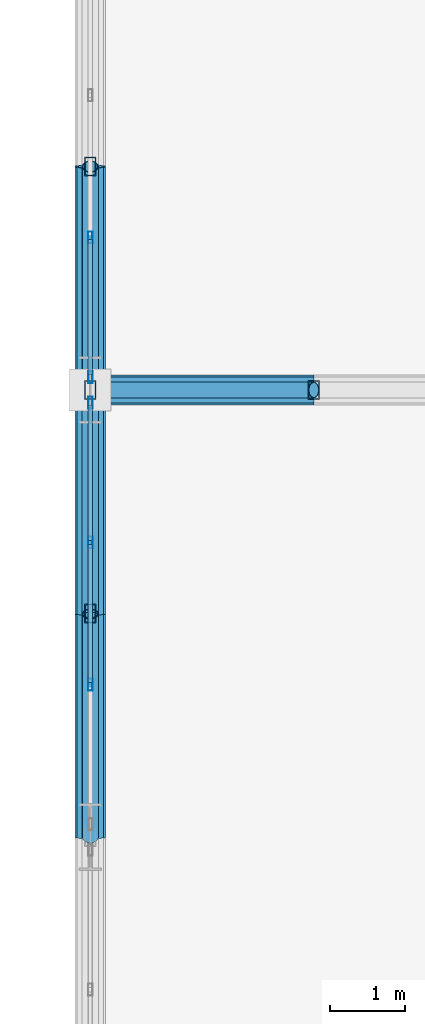
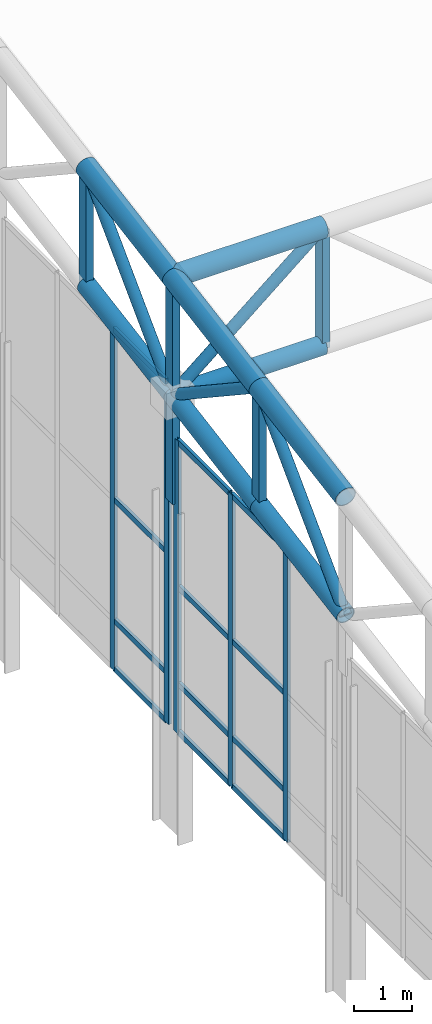
# One storey, part 36 of 239: 33 members, 2 elements without a shape of their own.
"""IFC4 building model written with IfcOpenShell, lengths in metres."""

from ifc_helpers import new_model, si_unit, direction, frame, origin, origin_2d, place, context, subcontext, project, spatial, hollow_rectangle, hollow_circle, extrude, material, material_profile, profile_set, type_object, element, aggregate, save


model = new_model("IFC4")

# Units and contexts
model_context = context("Model", 3, precision=1e-05, world=origin(), true_north=direction((0.0, 1.0)))
body_context = subcontext(model_context, "Body", "Model", "MODEL_VIEW")
ifc_project = project(units=[si_unit("LENGTHUNIT", "METRE"), si_unit("AREAUNIT", "SQUARE_METRE"), si_unit("VOLUMEUNIT", "CUBIC_METRE"), si_unit("PLANEANGLEUNIT", "RADIAN"), si_unit("MASSUNIT", "GRAM", prefix="KILO")], contexts=[model_context])

# Site, building, storey
site_placement = place(None, origin())
site = spatial("IfcSite", under=ifc_project, at=site_placement, CompositionType="ELEMENT")
building_placement = place(site_placement, origin())
building = spatial("IfcBuilding", under=site, at=building_placement, Name="Kaldris Quays Convention Centre", CompositionType="ELEMENT")
storey_placement = place(building_placement, frame((0.0, 0.0, 11.39990234375)))
storey = spatial("IfcBuildingStorey", under=building, at=storey_placement, Name="L02", CompositionType="ELEMENT", Elevation=11.39990234375)

# Curtain wall, members
ifc_material_1 = material(Name="Anodized aluminium AW-6060 and triple glazing", Category="aluminium")
curtain_wall_type = type_object("IfcCurtainWallType", Name="UNITISED CURTAIN WALL CW03", PredefinedType="NOTDEFINED", material=ifc_material_1)
curtain_wall_1_placement = place(storey_placement, origin())
curtain_wall_1 = element("IfcCurtainWall", 1, at=curtain_wall_1_placement, inside=storey, type_object=curtain_wall_type, Name="L02 Unitised Curtain Wall CW03 214", PredefinedType="NOTDEFINED")
ifc_material_2 = material(Name="Anodized aluminium AW-6060", Category="aluminium")
ifc_material_profile_1 = material_profile(ifc_material_2, hollow_rectangle(XDim=0.06005859375, YDim=0.159912109375, WallThickness=0.00390625, at=origin_2d()), Name="RHS 160x60x4")
ifc_profile_set_1 = profile_set([ifc_material_profile_1], Name="Anodized aluminium AW-6060")
member_type_1 = type_object("IfcMemberType", Name="CURTAIN MULLION CWM1", PredefinedType="MULLION", material=ifc_profile_set_1)
member_1_placement = place(storey_placement, frame((20.0, 64.046630859375, 2.195068359375), z_axis=(0.0, 0.0, 1.0), x_axis=(-1.0, 0.0, 0.0)))
member_1 = element("IfcMember", 2, at=member_1_placement, type_object=member_type_1, Name="CW03 mullion 2", PredefinedType="MULLION", context=body_context, shape_type="SweptSolid", body=[
    extrude(hollow_rectangle(XDim=0.06005859375, YDim=0.159912109375, WallThickness=0.00390625, at=origin_2d()), origin(), (0.0, 0.0, 1.0), 6.197998046875),
])
member_2_placement = place(storey_placement, frame((20.0, 65.953369140625, 2.195068359375), z_axis=(0.0, 0.0, 1.0), x_axis=(-1.0, 0.0, 0.0)))
member_2 = element("IfcMember", 3, at=member_2_placement, type_object=member_type_1, Name="CW03 mullion 3", PredefinedType="MULLION", context=body_context, shape_type="SweptSolid", body=[
    extrude(hollow_rectangle(XDim=0.06005859375, YDim=0.159912109375, WallThickness=0.00390625, at=origin_2d()), origin(), (0.0, 0.0, 1.0), 6.197998046875),
])
member_3_placement = place(storey_placement, frame((20.0, 67.830078125, 2.195068359375), z_axis=(0.0, 0.0, 1.0), x_axis=(-1.0, 0.0, 0.0)))
member_3 = element("IfcMember", 4, at=member_3_placement, type_object=member_type_1, Name="CW03 mullion 4", PredefinedType="MULLION", context=body_context, shape_type="SweptSolid", body=[
    extrude(hollow_rectangle(XDim=0.06005859375, YDim=0.159912109375, WallThickness=0.00390625, at=origin_2d()), origin(), (0.0, 0.0, 1.0), 6.197998046875),
])

curtain_wall_2_placement = place(storey_placement, origin())
curtain_wall_2 = element("IfcCurtainWall", 5, at=curtain_wall_2_placement, inside=storey, type_object=curtain_wall_type, Name="L02 Unitised Curtain Wall CW03 215", PredefinedType="NOTDEFINED")
member_4_placement = place(storey_placement, frame((20.0, 68.169921875, 2.195068359375), z_axis=(0.0, 0.0, 1.0), x_axis=(-1.0, 0.0, 0.0)))
member_4 = element("IfcMember", 6, at=member_4_placement, type_object=member_type_1, Name="CW03 mullion 1", PredefinedType="MULLION", context=body_context, shape_type="SweptSolid", body=[
    extrude(hollow_rectangle(XDim=0.06005859375, YDim=0.159912109375, WallThickness=0.00390625, at=origin_2d()), origin(), (0.0, 0.0, 1.0), 7.22607421875),
])
member_5_placement = place(storey_placement, frame((20.0, 70.046630859375, 2.195068359375), z_axis=(0.0, 0.0, 1.0), x_axis=(-1.0, 0.0, 0.0)))
member_5 = element("IfcMember", 7, at=member_5_placement, type_object=member_type_1, Name="CW03 mullion 2", PredefinedType="MULLION", context=body_context, shape_type="SweptSolid", body=[
    extrude(hollow_rectangle(XDim=0.06005859375, YDim=0.159912109375, WallThickness=0.00390625, at=origin_2d()), origin(), (0.0, 0.0, 1.0), 7.22607421875),
])

# Member
ifc_material_profile_2 = material_profile(ifc_material_2, hollow_rectangle(XDim=0.06005859375, YDim=0.1201171875, WallThickness=0.00390625, at=origin_2d()), Name="RHS 120x60x4")
ifc_profile_set_2 = profile_set([ifc_material_profile_2], Name="Anodized aluminium AW-6060")
member_type_2 = type_object("IfcMemberType", Name="CURTAIN TRANSOM CWT1", PredefinedType="USERDEFINED", material=ifc_profile_set_2)
member_6_placement = place(storey_placement, frame((20.0, 64.07666015625, 2.22509765625), z_axis=(0.0, 1.0, 0.0), x_axis=(-1.0, 0.0, 0.0)))
member_6 = element("IfcMember", 8, at=member_6_placement, type_object=member_type_2, Name="CW03 transom 2.1", ObjectType="TRANSOM", PredefinedType="USERDEFINED", context=body_context, shape_type="SweptSolid", body=[
    extrude(hollow_rectangle(XDim=0.06005859375, YDim=0.1201171875, WallThickness=0.00390625, at=origin_2d()), origin(), (0.0, 0.0, 1.0), 1.8466796875),
])

member_7_placement = place(storey_placement, frame((20.0, 64.07666015625, 3.2451171875), z_axis=(0.0, 1.0, 0.0), x_axis=(-1.0, 0.0, 0.0)))
member_7 = element("IfcMember", 9, at=member_7_placement, type_object=member_type_2, Name="CW03 transom 2.2", ObjectType="TRANSOM", PredefinedType="USERDEFINED", context=body_context, shape_type="SweptSolid", body=[
    extrude(hollow_rectangle(XDim=0.06005859375, YDim=0.1201171875, WallThickness=0.00390625, at=origin_2d()), origin(), (0.0, 0.0, 1.0), 1.8466796875),
])

member_8_placement = place(storey_placement, frame((20.0, 64.07666015625, 5.294189453125), z_axis=(0.0, 1.0, 0.0), x_axis=(-1.0, 0.0, 0.0)))
member_8 = element("IfcMember", 10, at=member_8_placement, type_object=member_type_2, Name="CW03 transom 2.3", ObjectType="TRANSOM", PredefinedType="USERDEFINED", context=body_context, shape_type="SweptSolid", body=[
    extrude(hollow_rectangle(XDim=0.06005859375, YDim=0.1201171875, WallThickness=0.00390625, at=origin_2d()), origin(), (0.0, 0.0, 1.0), 1.8466796875),
])

member_9_placement = place(storey_placement, frame((20.0, 64.07666015625, 8.363037109375), z_axis=(0.0, 1.0, 0.0), x_axis=(-1.0, 0.0, 0.0)))
member_9 = element("IfcMember", 11, at=member_9_placement, type_object=member_type_2, Name="CW03 transom 2.4", ObjectType="TRANSOM", PredefinedType="USERDEFINED", context=body_context, shape_type="SweptSolid", body=[
    extrude(hollow_rectangle(XDim=0.06005859375, YDim=0.1201171875, WallThickness=0.00390625, at=origin_2d()), origin(), (0.0, 0.0, 1.0), 1.8466796875),
])

member_10_placement = place(storey_placement, frame((20.0, 65.9833984375, 2.22509765625), z_axis=(0.0, 1.0, 0.0), x_axis=(-1.0, 0.0, 0.0)))
member_10 = element("IfcMember", 12, at=member_10_placement, type_object=member_type_2, Name="CW03 transom 3.1", ObjectType="TRANSOM", PredefinedType="USERDEFINED", context=body_context, shape_type="SweptSolid", body=[
    extrude(hollow_rectangle(XDim=0.06005859375, YDim=0.1201171875, WallThickness=0.00390625, at=origin_2d()), origin(), (0.0, 0.0, 1.0), 1.816650390625),
])

member_11_placement = place(storey_placement, frame((20.0, 65.9833984375, 3.2451171875), z_axis=(0.0, 1.0, 0.0), x_axis=(-1.0, 0.0, 0.0)))
member_11 = element("IfcMember", 13, at=member_11_placement, type_object=member_type_2, Name="CW03 transom 3.2", ObjectType="TRANSOM", PredefinedType="USERDEFINED", context=body_context, shape_type="SweptSolid", body=[
    extrude(hollow_rectangle(XDim=0.06005859375, YDim=0.1201171875, WallThickness=0.00390625, at=origin_2d()), origin(), (0.0, 0.0, 1.0), 1.816650390625),
])

member_12_placement = place(storey_placement, frame((20.0, 65.9833984375, 5.294189453125), z_axis=(0.0, 1.0, 0.0), x_axis=(-1.0, 0.0, 0.0)))
member_12 = element("IfcMember", 14, at=member_12_placement, type_object=member_type_2, Name="CW03 transom 3.3", ObjectType="TRANSOM", PredefinedType="USERDEFINED", context=body_context, shape_type="SweptSolid", body=[
    extrude(hollow_rectangle(XDim=0.06005859375, YDim=0.1201171875, WallThickness=0.00390625, at=origin_2d()), origin(), (0.0, 0.0, 1.0), 1.816650390625),
])

member_13_placement = place(storey_placement, frame((20.0, 65.9833984375, 8.363037109375), z_axis=(0.0, 1.0, 0.0), x_axis=(-1.0, 0.0, 0.0)))
member_13 = element("IfcMember", 15, at=member_13_placement, type_object=member_type_2, Name="CW03 transom 3.4", ObjectType="TRANSOM", PredefinedType="USERDEFINED", context=body_context, shape_type="SweptSolid", body=[
    extrude(hollow_rectangle(XDim=0.06005859375, YDim=0.1201171875, WallThickness=0.00390625, at=origin_2d()), origin(), (0.0, 0.0, 1.0), 1.816650390625),
])

aggregate(curtain_wall_1, [member_1, member_2, member_3, member_6, member_7, member_8, member_9, member_10, member_11, member_12, member_13])

member_14_placement = place(storey_placement, frame((20.0, 68.199951171875, 2.22509765625), z_axis=(0.0, 1.0, 0.0), x_axis=(-1.0, 0.0, 0.0)))
member_14 = element("IfcMember", 16, at=member_14_placement, type_object=member_type_2, Name="CW03 transom 1.1", ObjectType="TRANSOM", PredefinedType="USERDEFINED", context=body_context, shape_type="SweptSolid", body=[
    extrude(hollow_rectangle(XDim=0.06005859375, YDim=0.1201171875, WallThickness=0.00390625, at=origin_2d()), origin(), (0.0, 0.0, 1.0), 1.816650390625),
])

member_15_placement = place(storey_placement, frame((20.0, 68.199951171875, 3.2451171875), z_axis=(0.0, 1.0, 0.0), x_axis=(-1.0, 0.0, 0.0)))
member_15 = element("IfcMember", 17, at=member_15_placement, type_object=member_type_2, Name="CW03 transom 1.2", ObjectType="TRANSOM", PredefinedType="USERDEFINED", context=body_context, shape_type="SweptSolid", body=[
    extrude(hollow_rectangle(XDim=0.06005859375, YDim=0.1201171875, WallThickness=0.00390625, at=origin_2d()), origin(), (0.0, 0.0, 1.0), 1.816650390625),
])

member_16_placement = place(storey_placement, frame((20.0, 68.199951171875, 5.80810546875), z_axis=(0.0, 1.0, 0.0), x_axis=(-1.0, 0.0, 0.0)))
member_16 = element("IfcMember", 18, at=member_16_placement, type_object=member_type_2, Name="CW03 transom 1.3", ObjectType="TRANSOM", PredefinedType="USERDEFINED", context=body_context, shape_type="SweptSolid", body=[
    extrude(hollow_rectangle(XDim=0.06005859375, YDim=0.1201171875, WallThickness=0.00390625, at=origin_2d()), origin(), (0.0, 0.0, 1.0), 1.816650390625),
])

member_17_placement = place(storey_placement, frame((20.0, 68.199951171875, 9.39111328125), z_axis=(0.0, 1.0, 0.0), x_axis=(-1.0, 0.0, 0.0)))
member_17 = element("IfcMember", 19, at=member_17_placement, type_object=member_type_2, Name="CW03 transom 1.4", ObjectType="TRANSOM", PredefinedType="USERDEFINED", context=body_context, shape_type="SweptSolid", body=[
    extrude(hollow_rectangle(XDim=0.06005859375, YDim=0.1201171875, WallThickness=0.00390625, at=origin_2d()), origin(), (0.0, 0.0, 1.0), 1.816650390625),
])

aggregate(curtain_wall_2, [member_4, member_5, member_14, member_15, member_16, member_17])

# Members
ifc_material_3 = material(Name="Steel S355J2H", Category="steel")
ifc_material_profile_3 = material_profile(ifc_material_3, hollow_circle(Radius=0.203125, WallThickness=0.01611328125, at=origin_2d()), Name="CHS 406.4x16")
ifc_profile_set_3 = profile_set([ifc_material_profile_3], Name="Steel S355J2H")
member_type_3 = type_object("IfcMemberType", Name="STRUCTURAL MEMBER SC01", PredefinedType="CHORD", material=ifc_profile_set_3)
member_18_placement = place(storey_placement, frame((20.0, 68.0, 11.72900390625), z_axis=(1.0, 0.0, 0.0), x_axis=(0.0, 1.0, 0.0)))
element("IfcMember", 20, at=member_18_placement, inside=storey, type_object=member_type_3, Name="SF-V1 Top Chord X 43", PredefinedType="CHORD", context=body_context, shape_type="SweptSolid", body=[
    extrude(hollow_circle(Radius=0.203125, WallThickness=0.01611328125, at=origin_2d()), origin(), (0.0, 0.0, 1.0), 3.0),
])
for number, where, z_axis, x_axis, name in (
    (21, (20.0, 62.0, 10.700439453125), (0.0, 0.985615766076, 0.169001661712), (-1.0, 0.0, 0.0), "SF-V1 Top Chord Y 339"),
    (22, (20.0, 65.0, 11.21484375), (0.0, 0.98562912375, 0.168923741424), (-1.0, 0.0, 0.0), "SF-V1 Top Chord Y 340"),
    (23, (20.0, 68.0, 11.72900390625), (0.0, 0.985615766076, 0.169001661712), (-1.0, 0.0, 0.0), "SF-V1 Top Chord Y 341"),
):
    element("IfcMember", number, at=place(storey_placement, frame(where, z_axis=z_axis, x_axis=x_axis)), inside=storey, type_object=member_type_3, Name=name, PredefinedType="CHORD", context=body_context, shape_type="SweptSolid", body=[
        extrude(hollow_circle(Radius=0.203125, WallThickness=0.01611328125, at=origin_2d()), origin(), (0.0, 0.0, 1.0), 3.043701171875),
    ])
ifc_material_profile_4 = material_profile(ifc_material_3, hollow_circle(Radius=0.177734375, WallThickness=0.01611328125, at=origin_2d()), Name="CHS 355.6x16")
ifc_profile_set_4 = profile_set([ifc_material_profile_4], Name="Steel S355J2H")
member_type_4 = type_object("IfcMemberType", Name="STRUCTURAL MEMBER SC02", PredefinedType="CHORD", material=ifc_profile_set_4)
member_19_placement = place(storey_placement, frame((20.0, 68.0, 9.22900390625), z_axis=(1.0, 0.0, 0.0), x_axis=(0.0, 1.0, 0.0)))
element("IfcMember", 24, at=member_19_placement, inside=storey, type_object=member_type_4, Name="SF-V1 Bottom Chord X 43", PredefinedType="CHORD", context=body_context, shape_type="SweptSolid", body=[
    extrude(hollow_circle(Radius=0.177734375, WallThickness=0.01611328125, at=origin_2d()), origin(), (0.0, 0.0, 1.0), 3.0),
])
for number, where, z_axis, x_axis, name in (
    (25, (20.0, 62.0, 8.200439453125), (0.0, 0.985615766076, 0.169001661712), (-1.0, 0.0, 0.0), "SF-V1 Bottom Chord Y 339"),
    (26, (20.0, 65.0, 8.71484375), (0.0, 0.98562912375, 0.168923741424), (-1.0, 0.0, 0.0), "SF-V1 Bottom Chord Y 340"),
    (27, (20.0, 68.0, 9.22900390625), (0.0, 0.985615766076, 0.169001661712), (-1.0, 0.0, 0.0), "SF-V1 Bottom Chord Y 341"),
):
    element("IfcMember", number, at=place(storey_placement, frame(where, z_axis=z_axis, x_axis=x_axis)), inside=storey, type_object=member_type_4, Name=name, PredefinedType="CHORD", context=body_context, shape_type="SweptSolid", body=[
        extrude(hollow_circle(Radius=0.177734375, WallThickness=0.01611328125, at=origin_2d()), origin(), (0.0, 0.0, 1.0), 3.043701171875),
    ])
ifc_material_profile_5 = material_profile(ifc_material_3, hollow_circle(Radius=0.109619140625, WallThickness=0.010009765625, at=origin_2d()), Name="CHS 219.1x10")
ifc_profile_set_5 = profile_set([ifc_material_profile_5], Name="Steel S355J2H")
member_type_5 = type_object("IfcMemberType", Name="STRUCTURAL MEMBER SWB1", PredefinedType="BRACE", material=ifc_profile_set_5)
member_20_placement = place(storey_placement, frame((20.0, 68.0, 9.22900390625), z_axis=(0.768221279597, 0.0, 0.640184399664), x_axis=(0.0, 1.0, 0.0)))
element("IfcMember", 28, at=member_20_placement, inside=storey, type_object=member_type_5, Name="SF-V1 Web Diagonal X 43", PredefinedType="BRACE", context=body_context, shape_type="SweptSolid", body=[
    extrude(hollow_circle(Radius=0.109619140625, WallThickness=0.010009765625, at=origin_2d()), origin(), (0.0, 0.0, 1.0), 3.905029296875),
])
member_21_placement = place(storey_placement, frame((20.0, 62.0, 8.200439453125), z_axis=(0.0, 0.705411261057, 0.708798245465), x_axis=(-1.0, 0.0, 0.0)))
element("IfcMember", 29, at=member_21_placement, inside=storey, type_object=member_type_5, Name="SF-V1 Web Diagonal Y 339", PredefinedType="BRACE", context=body_context, shape_type="SweptSolid", body=[
    extrude(hollow_circle(Radius=0.109619140625, WallThickness=0.010009765625, at=origin_2d()), origin(), (0.0, 0.0, 1.0), 4.2529296875),
])
member_22_placement = place(storey_placement, frame((20.0, 68.0, 9.22900390625), z_axis=(0.0, -0.833862389808, 0.551972385962), x_axis=(1.0, 0.0, 0.0)))
element("IfcMember", 30, at=member_22_placement, inside=storey, type_object=member_type_5, Name="SF-V1 Web Diagonal Y 340", PredefinedType="BRACE", context=body_context, shape_type="SweptSolid", body=[
    extrude(hollow_circle(Radius=0.109619140625, WallThickness=0.010009765625, at=origin_2d()), origin(), (0.0, 0.0, 1.0), 3.59765625),
])
member_23_placement = place(storey_placement, frame((20.0, 68.0, 9.22900390625), z_axis=(0.0, 0.705411261057, 0.708798245465), x_axis=(-1.0, 0.0, 0.0)))
element("IfcMember", 31, at=member_23_placement, inside=storey, type_object=member_type_5, Name="SF-V1 Web Diagonal Y 341", PredefinedType="BRACE", context=body_context, shape_type="SweptSolid", body=[
    extrude(hollow_circle(Radius=0.109619140625, WallThickness=0.010009765625, at=origin_2d()), origin(), (0.0, 0.0, 1.0), 4.2529296875),
])
ifc_material_profile_6 = material_profile(ifc_material_3, hollow_rectangle(XDim=0.14990234375, YDim=0.25, WallThickness=0.010009765625, at=origin_2d()), Name="RHS 250x150x10")
ifc_profile_set_6 = profile_set([ifc_material_profile_6], Name="Steel S355J2H")
member_type_6 = type_object("IfcMemberType", Name="STRUCTURAL MEMBER TTV1", PredefinedType="POST", material=ifc_profile_set_6)
member_24_placement = place(storey_placement, frame((20.0, 65.0, 8.71484375), z_axis=(0.0, 0.0, 1.0), x_axis=(1.0, 0.0, 0.0)))
element("IfcMember", 32, at=member_24_placement, inside=storey, type_object=member_type_6, Name="SF-V1 Space-Frame Post 4", PredefinedType="POST", context=body_context, shape_type="SweptSolid", body=[
    extrude(hollow_rectangle(XDim=0.14990234375, YDim=0.25, WallThickness=0.010009765625, at=origin_2d()), origin(), (0.0, 0.0, 1.0), 2.5),
])
member_25_placement = place(storey_placement, frame((20.0, 68.0, 6.994140625), z_axis=(0.0, 0.0, 1.0), x_axis=(1.0, 0.0, 0.0)))
element("IfcMember", 33, at=member_25_placement, inside=storey, type_object=member_type_6, Name="SF-V1 Space-Frame Post 5", PredefinedType="POST", context=body_context, shape_type="SweptSolid", body=[
    extrude(hollow_rectangle(XDim=0.14990234375, YDim=0.25, WallThickness=0.010009765625, at=origin_2d()), origin(), (0.0, 0.0, 1.0), 4.73486328125),
])
for number, where, z_axis, x_axis, name in (
    (34, (20.0, 71.0, 9.743408203125), (0.0, 0.0, 1.0), (1.0, 0.0, 0.0), "SF-V1 Space-Frame Post 6"),
    (35, (23.0, 68.0, 9.22900390625), (0.0, 0.0, 1.0), (1.0, 0.0, 0.0), "SF-V1 Space-Frame Post 31"),
):
    element("IfcMember", number, at=place(storey_placement, frame(where, z_axis=z_axis, x_axis=x_axis)), inside=storey, type_object=member_type_6, Name=name, PredefinedType="POST", context=body_context, shape_type="SweptSolid", body=[
        extrude(hollow_rectangle(XDim=0.14990234375, YDim=0.25, WallThickness=0.010009765625, at=origin_2d()), origin(), (0.0, 0.0, 1.0), 2.5),
    ])

save(model, "model.ifc")
